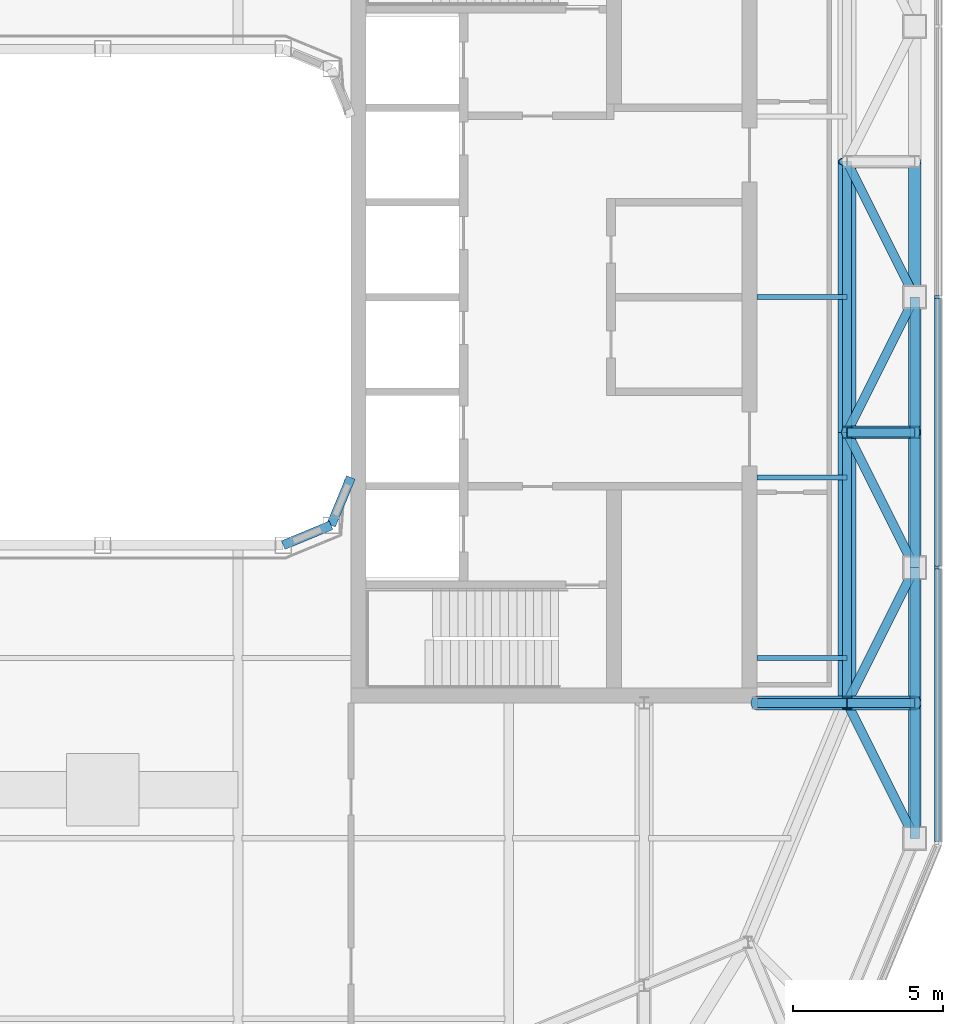
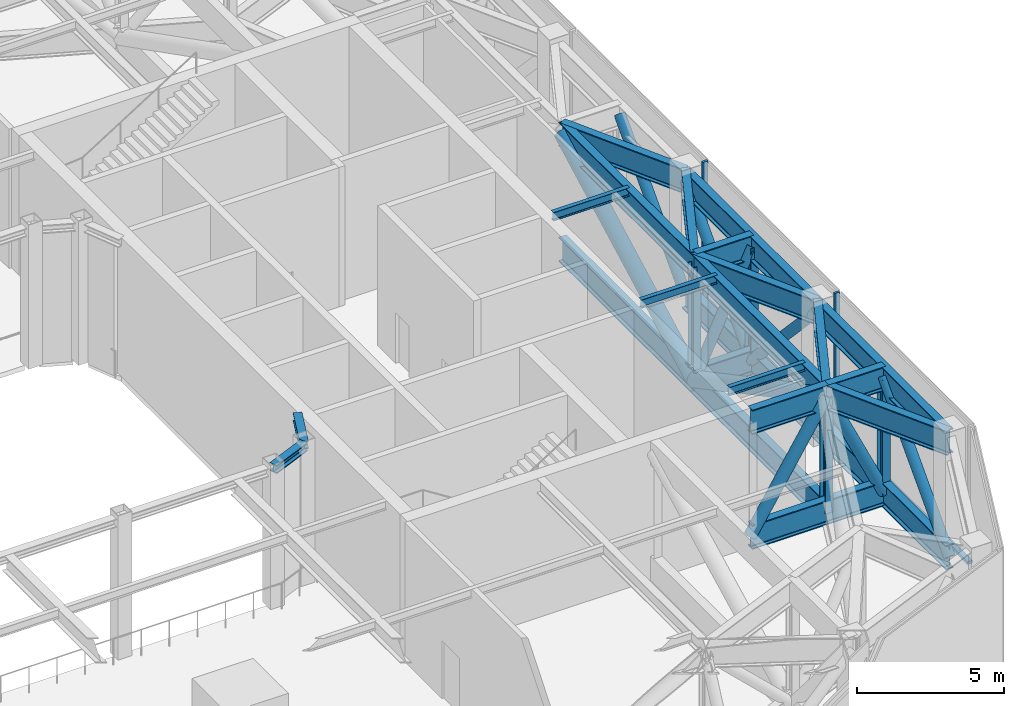
# One storey, part 5 of 21: 24 beams, 18 members, 1 element without a shape of its own.
"""IFC4 building model written with IfcOpenShell, lengths in metres."""

from ifc_helpers import new_model, si_unit, direction, frame, origin, origin_2d, place, context, subcontext, project, spatial, rectangle, hollow_circle, i_section, extrude, material, layer, layer_set, material_profile, profile_set, type_object, element, aggregate, save


model = new_model("IFC4")

# Units and contexts
model_context = context("Model", 3, precision=1e-05, world=origin(), true_north=direction((0.0, 1.0)))
body_context = subcontext(model_context, "Body", "Model", "MODEL_VIEW")
ifc_project = project(units=[si_unit("LENGTHUNIT", "METRE"), si_unit("AREAUNIT", "SQUARE_METRE"), si_unit("VOLUMEUNIT", "CUBIC_METRE"), si_unit("PLANEANGLEUNIT", "RADIAN"), si_unit("MASSUNIT", "GRAM", prefix="KILO")], contexts=[model_context])

# Site, building, storey
site_placement = place(None, origin())
site = spatial("IfcSite", under=ifc_project, at=site_placement, CompositionType="ELEMENT")
building_placement = place(site_placement, origin())
building = spatial("IfcBuilding", under=site, at=building_placement, Name="Siwar Civic Tower", CompositionType="ELEMENT")
storey_placement = place(building_placement, frame((0.0, 0.0, 278.199951171875)))
storey = spatial("IfcBuildingStorey", under=building, at=storey_placement, Name="L60", CompositionType="ELEMENT", Elevation=278.199951171875)

# Curtain wall, members
ifc_material_1 = material(Name="Aluminium and glass", Category="aluminium")
ifc_layer = layer(ifc_material_1, 0.199951171875)
ifc_layer_set = layer_set([ifc_layer], Name="Aluminium and glass")
curtain_wall_type = type_object("IfcCurtainWallType", Name="ENV-CW-P", PredefinedType="NOTDEFINED", material=ifc_layer_set)
curtain_wall_placement = place(storey_placement, origin())
curtain_wall = element("IfcCurtainWall", 1, at=curtain_wall_placement, inside=storey, type_object=curtain_wall_type, Name="Curtain wall P E", PredefinedType="NOTDEFINED")
ifc_material_2 = material(Name="Aluminium 6063-T6", Category="aluminium")
ifc_material_profile_1 = material_profile(ifc_material_2, rectangle(XDim=0.199951171875, YDim=0.10009765625, at=origin_2d()), Name="AL 200x100")
ifc_profile_set_1 = profile_set([ifc_material_profile_1], Name="Aluminium 6063-T6")
member_type_1 = type_object("IfcMemberType", Name="ENV-MULLION-P", PredefinedType="MULLION", material=ifc_profile_set_1)
member_1_placement = place(storey_placement, frame((27.75, -9.0, 0.0), z_axis=(0.0, 0.0, 1.0), x_axis=(-1.0, 0.0, 0.0)))
member_1 = element("IfcMember", 2, at=member_1_placement, type_object=member_type_1, Name="Mullion P E 2", PredefinedType="MULLION", context=body_context, shape_type="SweptSolid", body=[
    extrude(rectangle(XDim=0.199951171875, YDim=0.10009765625, at=origin_2d()), origin(), (0.0, 0.0, 1.0), 5.800048828125),
])
member_2_placement = place(storey_placement, frame((27.75, 0.0, 0.0), z_axis=(0.0, 0.0, 1.0), x_axis=(-1.0, 0.0, 0.0)))
member_2 = element("IfcMember", 3, at=member_2_placement, type_object=member_type_1, Name="Mullion P E 3", PredefinedType="MULLION", context=body_context, shape_type="SweptSolid", body=[
    extrude(rectangle(XDim=0.199951171875, YDim=0.10009765625, at=origin_2d()), origin(), (0.0, 0.0, 1.0), 5.800048828125),
])
ifc_material_3 = material(Name="Aluminium 6063-T6", Category="aluminium")
ifc_material_profile_2 = material_profile(ifc_material_3, rectangle(XDim=0.199951171875, YDim=0.1201171875, at=origin_2d()), Name="AL 200x120")
ifc_profile_set_2 = profile_set([ifc_material_profile_2], Name="Aluminium 6063-T6")
member_type_2 = type_object("IfcMemberType", Name="ENV-TRANSOM-P", PredefinedType="USERDEFINED", material=ifc_profile_set_2)
member_3_placement = place(storey_placement, frame((27.75, -18.09912109375, 0.06005859375), z_axis=(0.0, 1.0, 0.0), x_axis=(-1.0, 0.0, 0.0)))
member_3 = element("IfcMember", 4, at=member_3_placement, type_object=member_type_2, Name="Transom P E 1", ObjectType="TRANSOM", PredefinedType="USERDEFINED", context=body_context, shape_type="SweptSolid", body=[
    extrude(rectangle(XDim=0.199951171875, YDim=0.1201171875, at=origin_2d()), origin(), (0.0, 0.0, 1.0), 9.049072265625),
])
member_4_placement = place(storey_placement, frame((27.75, -8.949951171875, 0.06005859375), z_axis=(0.0, 1.0, 0.0), x_axis=(-1.0, 0.0, 0.0)))
member_4 = element("IfcMember", 5, at=member_4_placement, type_object=member_type_2, Name="Transom P E 2", ObjectType="TRANSOM", PredefinedType="USERDEFINED", context=body_context, shape_type="SweptSolid", body=[
    extrude(rectangle(XDim=0.199951171875, YDim=0.1201171875, at=origin_2d()), origin(), (0.0, 0.0, 1.0), 8.89990234375),
])
aggregate(curtain_wall, [member_1, member_2, member_3, member_4])

# Beams
ifc_material_4 = material(Name="Steel S460", Category="steel")
ifc_material_profile_3 = material_profile(ifc_material_4, i_section(OverallWidth=0.302001953125, OverallDepth=1.008056640625, WebThickness=0.02099609375, FlangeThickness=0.0400390625, FilletRadius=0.030029296875, at=origin_2d()), Name="HEM1000")
ifc_profile_set_3 = profile_set([ifc_material_profile_3], Name="Steel S460")
beam_type_1 = type_object("IfcBeamType", Name="STR-BELT-TRUSS-CHORD-HEM1000", PredefinedType="BEAM", material=ifc_profile_set_3)
for number, where, z_axis, x_axis, name in (
    (6, (24.75, -13.5, 0.504150390625), (0.0, 1.0, 0.0), (-1.0, 0.0, 0.0), "Belt truss chord"),
    (7, (24.75, -13.5, 5.296142578125), (0.0, 1.0, 0.0), (-1.0, 0.0, 0.0), "Belt truss chord"),
    (8, (24.75, -4.5, 0.504150390625), (0.0, 1.0, 0.0), (-1.0, 0.0, 0.0), "Belt truss chord"),
    (9, (24.75, -4.5, 5.296142578125), (0.0, 1.0, 0.0), (-1.0, 0.0, 0.0), "Belt truss chord"),
    (10, (27.0, -18.0, 0.504150390625), (0.0, 1.0, 0.0), (-1.0, 0.0, 0.0), "Belt truss chord"),
    (11, (27.0, -18.0, 5.296142578125), (0.0, 1.0, 0.0), (-1.0, 0.0, 0.0), "Belt truss chord"),
    (12, (27.0, -9.0, 0.504150390625), (0.0, 1.0, 0.0), (-1.0, 0.0, 0.0), "Belt truss chord"),
    (13, (27.0, -9.0, 5.296142578125), (0.0, 1.0, 0.0), (-1.0, 0.0, 0.0), "Belt truss chord"),
):
    element("IfcBeam", number, at=place(storey_placement, frame(where, z_axis=z_axis, x_axis=x_axis)), inside=storey, type_object=beam_type_1, Name=name, PredefinedType="BEAM", context=body_context, shape_type="SweptSolid", body=[
        extrude(i_section(OverallWidth=0.302001953125, OverallDepth=1.008056640625, WebThickness=0.02099609375, FlangeThickness=0.0400390625, FilletRadius=0.030029296875, at=origin_2d()), origin(), (0.0, 0.0, 1.0), 9.0),
    ])

# Members
ifc_material_5 = material(Name="Steel S355", Category="steel")
ifc_material_profile_4 = material_profile(ifc_material_5, hollow_circle(Radius=0.203125, WallThickness=0.01611328125, at=origin_2d()), Name="CHS406.4x16")
ifc_profile_set_4 = profile_set([ifc_material_profile_4], Name="Steel S355")
member_type_3 = type_object("IfcMemberType", Name="STR-BELT-TRUSS-DIAGONAL-CHS406.4x16", PredefinedType="BRACE", material=ifc_profile_set_4)
for number, where, z_axis, x_axis, name in (
    (14, (27.0, -18.00341796875, 0.50048828125), (0.0, 0.684545317859, 0.728970306526), (-1.0, 0.0, 0.0), "Belt truss diagonal"),
    (15, (27.0, -8.99658203125, 0.50048828125), (0.0, -0.684545317859, 0.728970306526), (1.0, 0.0, 0.0), "Belt truss diagonal"),
    (16, (27.0, -4.49658203125, 0.50048828125), (0.0, -0.684545317859, 0.728970306526), (1.0, 0.0, 0.0), "Belt truss diagonal"),
    (17, (27.0, -4.50341796875, 0.50048828125), (0.0, 0.684545317859, 0.728970306526), (-1.0, 0.0, 0.0), "Belt truss diagonal"),
    (18, (27.0, -0.00341796875, 0.50048828125), (0.0, 0.684545317859, 0.728970306526), (-1.0, 0.0, 0.0), "Belt truss diagonal"),
):
    element("IfcMember", number, at=place(storey_placement, frame(where, z_axis=z_axis, x_axis=x_axis)), inside=storey, type_object=member_type_3, Name=name, PredefinedType="BRACE", context=body_context, shape_type="SweptSolid", body=[
        extrude(hollow_circle(Radius=0.203125, WallThickness=0.01611328125, at=origin_2d()), origin(), (0.0, 0.0, 1.0), 6.583740234375),
    ])
member_5_placement = place(storey_placement, frame((24.747802734375, -4.5, 0.49951171875), z_axis=(0.425038765055, 0.0, 0.905175147803), x_axis=(0.0, 1.0, 0.0)))
element("IfcMember", 19, at=member_5_placement, inside=storey, type_object=member_type_3, Name="Belt truss diagonal", PredefinedType="BRACE", context=body_context, shape_type="SweptSolid", body=[
    extrude(hollow_circle(Radius=0.203125, WallThickness=0.01611328125, at=origin_2d()), origin(), (0.0, 0.0, 1.0), 5.303955078125),
])
ifc_material_6 = material(Name="Steel S355", Category="steel")
ifc_material_profile_5 = material_profile(ifc_material_6, hollow_circle(Radius=0.304931640625, WallThickness=0.030029296875, at=origin_2d()), Name="CHS610x30")
ifc_profile_set_5 = profile_set([ifc_material_profile_5], Name="Steel S355")
member_type_4 = type_object("IfcMemberType", Name="STR-BELT-TRUSS-DIAGONAL-CHS610x30", PredefinedType="BRACE", material=ifc_profile_set_5)
for number, where, z_axis, x_axis, name in (
    (20, (24.75, -4.49560546875, 0.501708984375), (0.0, -0.882680501151, 0.469973544881), (1.0, 0.0, 0.0), "Belt truss diagonal"),
    (21, (24.75, -4.50439453125, 0.501708984375), (0.0, 0.882680501151, 0.469973544881), (-1.0, 0.0, 0.0), "Belt truss diagonal"),
):
    element("IfcMember", number, at=place(storey_placement, frame(where, z_axis=z_axis, x_axis=x_axis)), inside=storey, type_object=member_type_4, Name=name, PredefinedType="BRACE", context=body_context, shape_type="SweptSolid", body=[
        extrude(hollow_circle(Radius=0.304931640625, WallThickness=0.030029296875, at=origin_2d()), origin(), (0.0, 0.0, 1.0), 10.2060546875),
    ])

# Beams
ifc_material_7 = material(Name="Steel S460", Category="steel")
ifc_material_profile_6 = material_profile(ifc_material_7, i_section(OverallWidth=0.302001953125, OverallDepth=1.008056640625, WebThickness=0.02099609375, FlangeThickness=0.0400390625, FilletRadius=0.030029296875, at=origin_2d()), Name="HEM1000")
ifc_profile_set_6 = profile_set([ifc_material_profile_6], Name="Steel S460")
beam_type_2 = type_object("IfcBeamType", Name="STR-BELT-TRUSS-LADDER-CHORD-HEM1000", PredefinedType="BEAM", material=ifc_profile_set_6)
for number, where, z_axis, x_axis, name in (
    (22, (24.75, -4.5, 0.504150390625), (1.0, 0.0, 0.0), (0.0, 1.0, 0.0), "Belt truss ladder chord"),
    (23, (24.75, -4.5, 5.296142578125), (1.0, 0.0, 0.0), (0.0, 1.0, 0.0), "Belt truss ladder chord"),
):
    element("IfcBeam", number, at=place(storey_placement, frame(where, z_axis=z_axis, x_axis=x_axis)), inside=storey, type_object=beam_type_2, Name=name, PredefinedType="BEAM", context=body_context, shape_type="SweptSolid", body=[
        extrude(i_section(OverallWidth=0.302001953125, OverallDepth=1.008056640625, WebThickness=0.02099609375, FlangeThickness=0.0400390625, FilletRadius=0.030029296875, at=origin_2d()), origin(), (0.0, 0.0, 1.0), 2.25),
    ])

# Members
ifc_material_8 = material(Name="Steel S355", Category="steel")
ifc_material_profile_7 = material_profile(ifc_material_8, i_section(OverallWidth=0.300048828125, OverallDepth=0.39990234375, WebThickness=0.013427734375, FlangeThickness=0.02392578125, FilletRadius=0.027099609375, at=origin_2d()), Name="HEB400")
ifc_profile_set_7 = profile_set([ifc_material_profile_7], Name="Steel S355")
member_type_5 = type_object("IfcMemberType", Name="STR-BELT-TRUSS-POST-HEB400", PredefinedType="POST", material=ifc_profile_set_7)
for number, where, z_axis, x_axis, name in (
    (24, (24.75, -13.5, 0.504150390625), (0.0, 0.0, 1.0), (1.0, 0.0, 0.0), "Belt truss post"),
    (25, (24.75, -4.5, 0.504150390625), (0.0, 0.0, 1.0), (1.0, 0.0, 0.0), "Belt truss post"),
    (26, (27.0, -13.5, 0.504150390625), (0.0, 0.0, 1.0), (1.0, 0.0, 0.0), "Belt truss post"),
    (27, (27.0, -4.5, 0.504150390625), (0.0, 0.0, 1.0), (1.0, 0.0, 0.0), "Belt truss post"),
):
    element("IfcMember", number, at=place(storey_placement, frame(where, z_axis=z_axis, x_axis=x_axis)), inside=storey, type_object=member_type_5, Name=name, PredefinedType="POST", context=body_context, shape_type="SweptSolid", body=[
        extrude(i_section(OverallWidth=0.300048828125, OverallDepth=0.39990234375, WebThickness=0.013427734375, FlangeThickness=0.02392578125, FilletRadius=0.027099609375, at=origin_2d()), origin(), (0.0, 0.0, 1.0), 4.7919921875),
    ])

# Beams
ifc_material_9 = material(Name="Steel S355", Category="steel")
ifc_material_profile_8 = material_profile(ifc_material_9, i_section(OverallWidth=0.169921875, OverallDepth=0.360107421875, WebThickness=0.008056640625, FlangeThickness=0.0126953125, FilletRadius=0.01806640625, at=origin_2d()), Name="IPE360")
ifc_profile_set_8 = profile_set([ifc_material_profile_8], Name="Steel S355")
beam_type_3 = type_object("IfcBeamType", Name="STR-FB-IPE360", PredefinedType="JOIST", material=ifc_profile_set_8)
for number, where, z_axis, x_axis, name in (
    (28, (21.75, -12.0, 5.6201171875), (1.0, 0.0, 0.0), (0.0, 1.0, 0.0), "L60/bm/F015"),
    (29, (21.75, -6.0, 5.6201171875), (1.0, 0.0, 0.0), (0.0, 1.0, 0.0), "L60/bm/F017"),
    (30, (21.75, 0.0, 5.6201171875), (1.0, 0.0, 0.0), (0.0, 1.0, 0.0), "L60/bm/F019"),
):
    element("IfcBeam", number, at=place(storey_placement, frame(where, z_axis=z_axis, x_axis=x_axis)), inside=storey, type_object=beam_type_3, Name=name, PredefinedType="JOIST", context=body_context, shape_type="SweptSolid", body=[
        extrude(i_section(OverallWidth=0.169921875, OverallDepth=0.360107421875, WebThickness=0.008056640625, FlangeThickness=0.0126953125, FilletRadius=0.01806640625, at=origin_2d()), origin(), (0.0, 0.0, 1.0), 3.0),
    ])
ifc_material_10 = material(Name="Steel S460", Category="steel")
ifc_material_profile_9 = material_profile(ifc_material_10, i_section(OverallWidth=0.302001953125, OverallDepth=1.008056640625, WebThickness=0.02099609375, FlangeThickness=0.0400390625, FilletRadius=0.030029296875, at=origin_2d()), Name="HEM1000")
ifc_profile_set_9 = profile_set([ifc_material_profile_9], Name="Steel S460")
beam_type_4 = type_object("IfcBeamType", Name="STR-OUTRIGGER-TRUSS-CHORD-HEM1000", PredefinedType="BEAM", material=ifc_profile_set_9)
for number, where, z_axis, x_axis, name in (
    (31, (24.75, -13.5, 0.504150390625), (1.0, 0.0, 0.0), (0.0, 1.0, 0.0), "Outrigger truss chord"),
    (32, (24.75, -13.5, 5.296142578125), (1.0, 0.0, 0.0), (0.0, 1.0, 0.0), "Outrigger truss chord"),
):
    element("IfcBeam", number, at=place(storey_placement, frame(where, z_axis=z_axis, x_axis=x_axis)), inside=storey, type_object=beam_type_4, Name=name, PredefinedType="BEAM", context=body_context, shape_type="SweptSolid", body=[
        extrude(i_section(OverallWidth=0.302001953125, OverallDepth=1.008056640625, WebThickness=0.02099609375, FlangeThickness=0.0400390625, FilletRadius=0.030029296875, at=origin_2d()), origin(), (0.0, 0.0, 1.0), 2.25),
    ])
for number, where, z_axis, x_axis, name in (
    (33, (24.75, -13.5, 0.504150390625), (-1.0, 0.0, 0.0), (0.0, -1.0, 0.0), "Outrigger truss chord"),
    (34, (24.75, -13.5, 5.296142578125), (-1.0, 0.0, 0.0), (0.0, -1.0, 0.0), "Outrigger truss chord"),
):
    element("IfcBeam", number, at=place(storey_placement, frame(where, z_axis=z_axis, x_axis=x_axis)), inside=storey, type_object=beam_type_4, Name=name, PredefinedType="BEAM", context=body_context, shape_type="SweptSolid", body=[
        extrude(i_section(OverallWidth=0.302001953125, OverallDepth=1.008056640625, WebThickness=0.02099609375, FlangeThickness=0.0400390625, FilletRadius=0.030029296875, at=origin_2d()), origin(), (0.0, 0.0, 1.0), 3.0),
    ])

# Members
ifc_material_11 = material(Name="Steel S355", Category="steel")
ifc_material_profile_10 = material_profile(ifc_material_11, hollow_circle(Radius=0.228515625, WallThickness=0.02001953125, at=origin_2d()), Name="CHS457x20")
ifc_profile_set_10 = profile_set([ifc_material_profile_10], Name="Steel S355")
member_type_6 = type_object("IfcMemberType", Name="STR-OUTRIGGER-TRUSS-DIAGONAL-CHS457x20", PredefinedType="BRACE", material=ifc_profile_set_10)
member_6_placement = place(storey_placement, frame((27.002197265625, -13.5, 0.49951171875), z_axis=(-0.425038765055, 0.0, 0.905175147803), x_axis=(0.0, -1.0, 0.0)))
element("IfcMember", 35, at=member_6_placement, inside=storey, type_object=member_type_6, Name="Outrigger truss diagonal", PredefinedType="BRACE", context=body_context, shape_type="SweptSolid", body=[
    extrude(hollow_circle(Radius=0.228515625, WallThickness=0.02001953125, at=origin_2d()), origin(), (0.0, 0.0, 1.0), 5.303955078125),
])
member_7_placement = place(storey_placement, frame((21.747314453125, -13.5, 0.499755859375), z_axis=(0.530638118245, 0.0, 0.847598482458), x_axis=(0.0, 1.0, 0.0)))
element("IfcMember", 36, at=member_7_placement, inside=storey, type_object=member_type_6, Name="Outrigger truss diagonal", PredefinedType="BRACE", context=body_context, shape_type="SweptSolid", body=[
    extrude(hollow_circle(Radius=0.228515625, WallThickness=0.02001953125, at=origin_2d()), origin(), (0.0, 0.0, 1.0), 5.66357421875),
])

# Beams
ifc_material_12 = material(Name="Steel S355", Category="steel")
ifc_material_profile_11 = material_profile(ifc_material_12, i_section(OverallWidth=0.31005859375, OverallDepth=0.340087890625, WebThickness=0.02099609375, FlangeThickness=0.0390625, FilletRadius=0.027099609375, at=origin_2d()), Name="HEM300")
ifc_profile_set_11 = profile_set([ifc_material_profile_11], Name="Steel S355")
beam_type_5 = type_object("IfcBeamType", Name="STR-RB-HEM300", PredefinedType="BEAM", material=ifc_profile_set_11)
for number, where, z_axis, x_axis, name in (
    (37, (6.0, -8.25, 5.630126953125), (0.923901072997, 0.382631424892, 0.0), (-0.382631424892, 0.923901072997, 0.0), "L60/bm/RS3"),
    (38, (7.591064453125, -7.591064453125, 5.630126953125), (0.382631424892, 0.923901072997, 0.0), (-0.923901072997, 0.382631424892, 0.0), "L60/bm/RSEE"),
):
    element("IfcBeam", number, at=place(storey_placement, frame(where, z_axis=z_axis, x_axis=x_axis)), inside=storey, type_object=beam_type_5, Name=name, PredefinedType="BEAM", context=body_context, shape_type="SweptSolid", body=[
        extrude(i_section(OverallWidth=0.31005859375, OverallDepth=0.340087890625, WebThickness=0.02099609375, FlangeThickness=0.0390625, FilletRadius=0.027099609375, at=origin_2d()), origin(), (0.0, 0.0, 1.0), 1.72216796875),
    ])
ifc_material_13 = material(Name="Steel S460", Category="steel")
ifc_material_profile_12 = material_profile(ifc_material_13, i_section(OverallWidth=0.302001953125, OverallDepth=1.008056640625, WebThickness=0.02099609375, FlangeThickness=0.0400390625, FilletRadius=0.030029296875, at=origin_2d()), Name="HEM1000")
ifc_profile_set_12 = profile_set([ifc_material_profile_12], Name="Steel S460")
beam_type_6 = type_object("IfcBeamType", Name="STR-TRANSFER-GIRDER-HEM1000", PredefinedType="BEAM", material=ifc_profile_set_12)
for number, where, z_axis, x_axis, name in (
    (39, (24.75, -13.5, 5.296142578125), (0.4472135955, -0.894427191, 0.0), (0.894427191, 0.4472135955, 0.0), "Transfer girder"),
    (40, (24.75, -13.5, 5.296142578125), (0.4472135955, 0.894427191, 0.0), (-0.894427191, 0.4472135955, 0.0), "Transfer girder"),
    (41, (24.75, -4.5, 5.296142578125), (0.4472135955, -0.894427191, 0.0), (0.894427191, 0.4472135955, 0.0), "Transfer girder"),
    (42, (24.75, -4.5, 5.296142578125), (0.4472135955, 0.894427191, 0.0), (-0.894427191, 0.4472135955, 0.0), "Transfer girder"),
    (43, (24.75, 4.5, 5.296142578125), (0.4472135955, -0.894427191, 0.0), (0.894427191, 0.4472135955, 0.0), "Transfer girder"),
):
    element("IfcBeam", number, at=place(storey_placement, frame(where, z_axis=z_axis, x_axis=x_axis)), inside=storey, type_object=beam_type_6, Name=name, PredefinedType="BEAM", context=body_context, shape_type="SweptSolid", body=[
        extrude(i_section(OverallWidth=0.302001953125, OverallDepth=1.008056640625, WebThickness=0.02099609375, FlangeThickness=0.0400390625, FilletRadius=0.030029296875, at=origin_2d()), origin(), (0.0, 0.0, 1.0), 5.03125),
    ])

save(model, "model.ifc")
